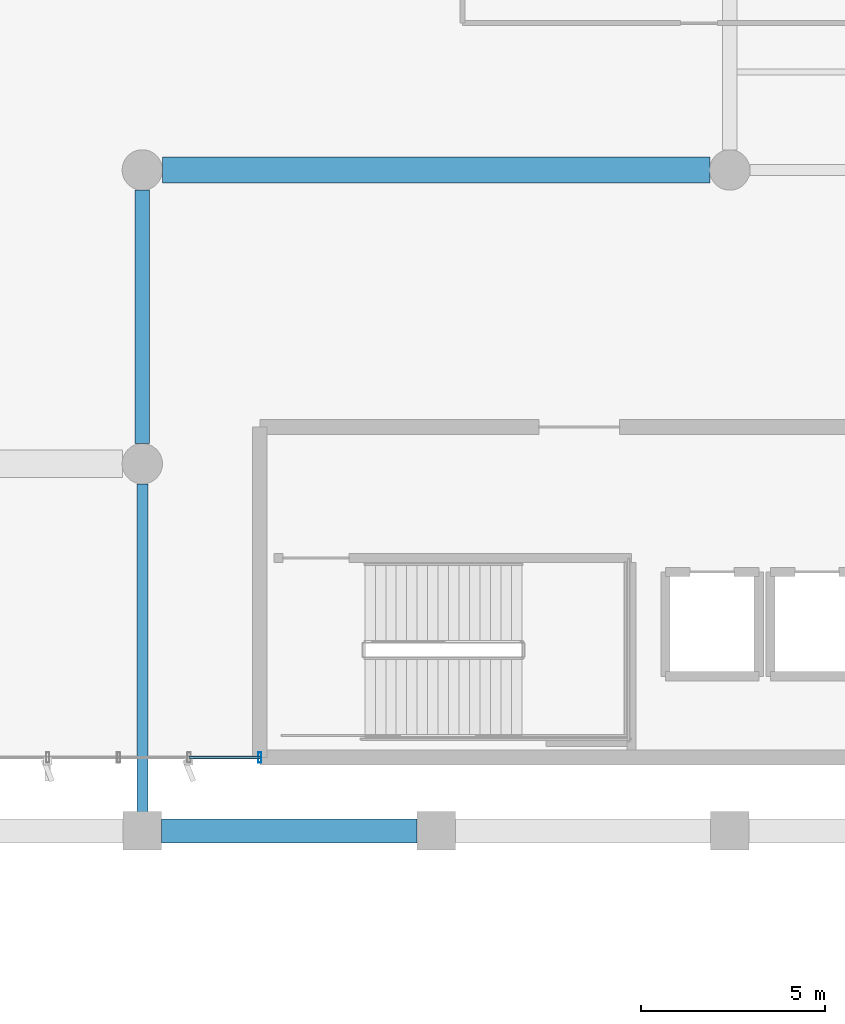
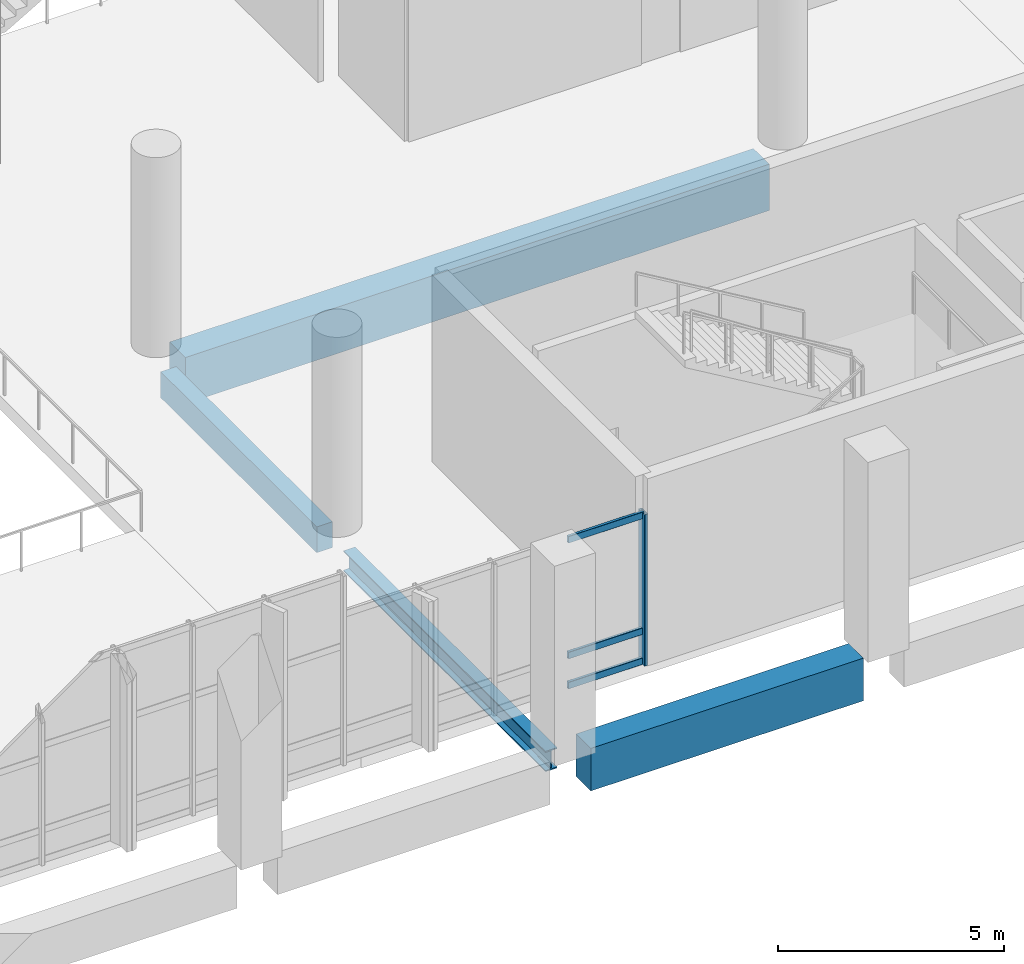
# One storey, part 35 of 176: 4 beams, 4 members, 1 element without a shape of its own.
"""IFC4 building model written with IfcOpenShell, lengths in metres."""

from ifc_helpers import new_model, si_unit, direction, frame, origin, origin_2d, place, context, subcontext, project, spatial, rectangle, hollow_rectangle, i_section, extrude, material, layer, layer_set, material_profile, profile_set, type_object, element, aggregate, save


model = new_model("IFC4")

# Units and contexts
model_context = context("Model", 3, precision=1e-05, world=origin(), true_north=direction((0.0, 1.0)))
body_context = subcontext(model_context, "Body", "Model", "MODEL_VIEW")
ifc_project = project(units=[si_unit("LENGTHUNIT", "METRE"), si_unit("AREAUNIT", "SQUARE_METRE"), si_unit("VOLUMEUNIT", "CUBIC_METRE"), si_unit("PLANEANGLEUNIT", "RADIAN"), si_unit("MASSUNIT", "GRAM", prefix="KILO")], contexts=[model_context])

# Site, building, storey
site_placement = place(None, origin())
site = spatial("IfcSite", under=ifc_project, at=site_placement, CompositionType="ELEMENT")
building_placement = place(site_placement, origin())
building = spatial("IfcBuilding", under=site, at=building_placement, Name="Khorjan Park Terminus", CompositionType="ELEMENT")
storey_placement = place(building_placement, frame((0.0, 0.0, 6.0)))
storey = spatial("IfcBuildingStorey", under=building, at=storey_placement, Name="L01", CompositionType="ELEMENT", Elevation=6.0)

# Beams
ifc_material_1 = material(Name="Steel S355", Category="steel")
ifc_material_profile_1 = material_profile(ifc_material_1, i_section(OverallWidth=0.3, OverallDepth=0.55, WebThickness=0.015, FlangeThickness=0.029, FilletRadius=0.027, at=origin_2d()), Name="HEB 550")
ifc_profile_set_1 = profile_set([ifc_material_profile_1], Name="Steel S355")
beam_type_1 = type_object("IfcBeamType", Name="BM-HEB550", PredefinedType="BEAM", material=ifc_profile_set_1)
beam_1_placement = place(storey_placement, frame((112.0, 26.52, -0.635), z_axis=(0.0, 1.0, 0.0), x_axis=(-1.0, 0.0, 0.0)))
element("IfcBeam", 1, at=beam_1_placement, inside=storey, type_object=beam_type_1, Name="Primary floor girder SB-B55 (L01)", PredefinedType="BEAM", context=body_context, shape_type="SweptSolid", body=[
    extrude(i_section(OverallWidth=0.3, OverallDepth=0.55, WebThickness=0.015, FlangeThickness=0.029, FilletRadius=0.027, at=origin_2d()), origin(), (0.0, 0.0, 1.0), 8.935),
])
ifc_material_2 = material(Name="Concrete C40/50", Category="concrete")
ifc_material_profile_2 = material_profile(ifc_material_2, rectangle(XDim=0.4, YDim=0.7, at=origin_2d()), Name="RC 400x700")
ifc_profile_set_2 = profile_set([ifc_material_profile_2], Name="Concrete C40/50")
beam_type_2 = type_object("IfcBeamType", Name="BM-RC400x700", PredefinedType="BEAM", material=ifc_profile_set_2)
beam_2_placement = place(storey_placement, frame((112.0, 36.545, -0.71), z_axis=(0.0, 1.0, 0.0), x_axis=(-1.0, 0.0, 0.0)))
element("IfcBeam", 2, at=beam_2_placement, inside=storey, type_object=beam_type_2, Name="Primary floor girder GB-07 (L01)", PredefinedType="BEAM", context=body_context, shape_type="SweptSolid", body=[
    extrude(rectangle(XDim=0.4, YDim=0.7, at=origin_2d()), origin(), (0.0, 0.0, 1.0), 6.91),
])
ifc_material_profile_3 = material_profile(ifc_material_2, rectangle(XDim=0.7, YDim=1.25, at=origin_2d()), Name="RC 700x1250")
ifc_profile_set_3 = profile_set([ifc_material_profile_3], Name="Concrete C40/50")
beam_type_3 = type_object("IfcBeamType", Name="BM-RC700x1250", PredefinedType="BEAM", material=ifc_profile_set_3)
beam_3_placement = place(storey_placement, frame((112.545, 44.0, -0.985), z_axis=(1.0, 0.0, 0.0), x_axis=(0.0, 1.0, 0.0)))
element("IfcBeam", 3, at=beam_3_placement, inside=storey, type_object=beam_type_3, Name="Primary floor girder GB-125 (L01)", PredefinedType="BEAM", context=body_context, shape_type="SweptSolid", body=[
    extrude(rectangle(XDim=0.7, YDim=1.25, at=origin_2d()), origin(), (0.0, 0.0, 1.0), 14.91),
])

# Curtain wall, member
ifc_material_3 = material(Name="Anodized Bronze Aluminium", Category="aluminium")
ifc_layer = layer(ifc_material_3, 0.22)
ifc_layer_set = layer_set([ifc_layer], Name="Anodized Bronze Aluminium")
curtain_wall_type = type_object("IfcCurtainWallType", Name="CW-CONC-A", PredefinedType="NOTDEFINED", material=ifc_layer_set)
curtain_wall_placement = place(storey_placement, origin())
curtain_wall = element("IfcCurtainWall", 4, at=curtain_wall_placement, inside=storey, type_object=curtain_wall_type, Name="Unitized curtain wall CW-A (CW-V2-S-L01-07)", PredefinedType="NOTDEFINED")
ifc_material_profile_4 = material_profile(ifc_material_3, hollow_rectangle(XDim=0.09, YDim=0.28, WallThickness=0.006, InnerFilletRadius=0.006, OuterFilletRadius=0.012, at=origin_2d()), Name="ALM 90x280x6")
ifc_profile_set_4 = profile_set([ifc_material_profile_4], Name="Anodized Bronze Aluminium")
member_type_1 = type_object("IfcMemberType", Name="ML-ALM-280", PredefinedType="MULLION", material=ifc_profile_set_4)
member_1_placement = place(storey_placement, frame((115.2, 28.0, -0.035), z_axis=(0.0, 0.0, 1.0), x_axis=(1.0, 0.0, 0.0)))
member_1 = element("IfcMember", 5, at=member_1_placement, type_object=member_type_1, Name="Curtain-wall mullion ML-28 (CW-V2-S-L01-07-4)", PredefinedType="MULLION", context=body_context, shape_type="SweptSolid", body=[
    extrude(hollow_rectangle(XDim=0.09, YDim=0.28, WallThickness=0.006, InnerFilletRadius=0.006, OuterFilletRadius=0.012, at=origin_2d()), origin(), (0.0, 0.0, 1.0), 4.085),
])

# Beam
ifc_material_4 = material(Name="Concrete C50/60", Category="concrete")
ifc_material_profile_5 = material_profile(ifc_material_4, rectangle(XDim=0.65, YDim=1.15, at=origin_2d()), Name="RC 650x1150")
ifc_profile_set_5 = profile_set([ifc_material_profile_5], Name="Concrete C50/60")
beam_type_4 = type_object("IfcBeamType", Name="SP-RC650x1150", PredefinedType="SPANDREL", material=ifc_profile_set_5)
beam_4_placement = place(storey_placement, frame((112.52, 26.0, -0.575), z_axis=(1.0, 0.0, 0.0), x_axis=(0.0, 1.0, 0.0)))
element("IfcBeam", 6, at=beam_4_placement, inside=storey, type_object=beam_type_4, Name="Concourse lower colonnade ring beam SP-11 (L01-17)", PredefinedType="SPANDREL", context=body_context, shape_type="SweptSolid", body=[
    extrude(rectangle(XDim=0.65, YDim=1.15, at=origin_2d()), origin(), (0.0, 0.0, 1.0), 6.96),
])

# Member
ifc_material_profile_6 = material_profile(ifc_material_3, hollow_rectangle(XDim=0.075, YDim=0.185, WallThickness=0.005, InnerFilletRadius=0.005, OuterFilletRadius=0.01, at=origin_2d()), Name="ALT 75x185x5")
ifc_profile_set_6 = profile_set([ifc_material_profile_6], Name="Anodized Bronze Aluminium")
member_type_2 = type_object("IfcMemberType", Name="TR-ALT-185", PredefinedType="USERDEFINED", material=ifc_profile_set_6)
member_2_placement = place(storey_placement, frame((113.275, 28.0, 0.04), z_axis=(1.0, 0.0, 0.0), x_axis=(0.0, 1.0, 0.0)))
member_2 = element("IfcMember", 7, at=member_2_placement, type_object=member_type_2, Name="Curtain-wall transom TR-18 (CW-V2-S-L01-07-3-1)", ObjectType="TRANSOM", PredefinedType="USERDEFINED", context=body_context, shape_type="SweptSolid", body=[
    extrude(hollow_rectangle(XDim=0.075, YDim=0.185, WallThickness=0.005, InnerFilletRadius=0.005, OuterFilletRadius=0.01, at=origin_2d()), origin(), (0.0, 0.0, 1.0), 1.925),
])

member_3_placement = place(storey_placement, frame((113.275, 28.0, 0.85), z_axis=(1.0, 0.0, 0.0), x_axis=(0.0, 1.0, 0.0)))
member_3 = element("IfcMember", 8, at=member_3_placement, type_object=member_type_2, Name="Curtain-wall transom TR-18 (CW-V2-S-L01-07-3-2)", ObjectType="TRANSOM", PredefinedType="USERDEFINED", context=body_context, shape_type="SweptSolid", body=[
    extrude(hollow_rectangle(XDim=0.075, YDim=0.185, WallThickness=0.005, InnerFilletRadius=0.005, OuterFilletRadius=0.01, at=origin_2d()), origin(), (0.0, 0.0, 1.0), 1.925),
])

member_4_placement = place(storey_placement, frame((113.275, 28.0, 3.975), z_axis=(1.0, 0.0, 0.0), x_axis=(0.0, 1.0, 0.0)))
member_4 = element("IfcMember", 9, at=member_4_placement, type_object=member_type_2, Name="Curtain-wall transom TR-18 (CW-V2-S-L01-07-3-3)", ObjectType="TRANSOM", PredefinedType="USERDEFINED", context=body_context, shape_type="SweptSolid", body=[
    extrude(hollow_rectangle(XDim=0.075, YDim=0.185, WallThickness=0.005, InnerFilletRadius=0.005, OuterFilletRadius=0.01, at=origin_2d()), origin(), (0.0, 0.0, 1.0), 1.925),
])

aggregate(curtain_wall, [member_1, member_2, member_3, member_4])

save(model, "model.ifc")
